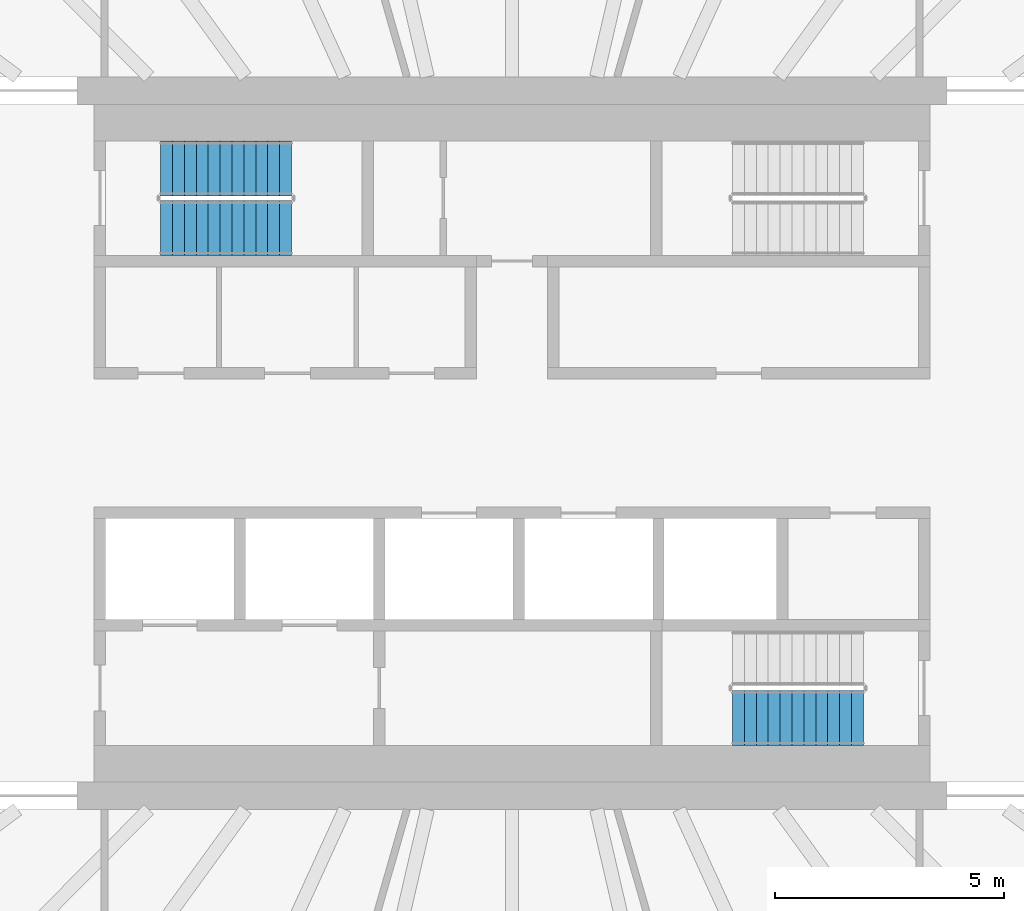
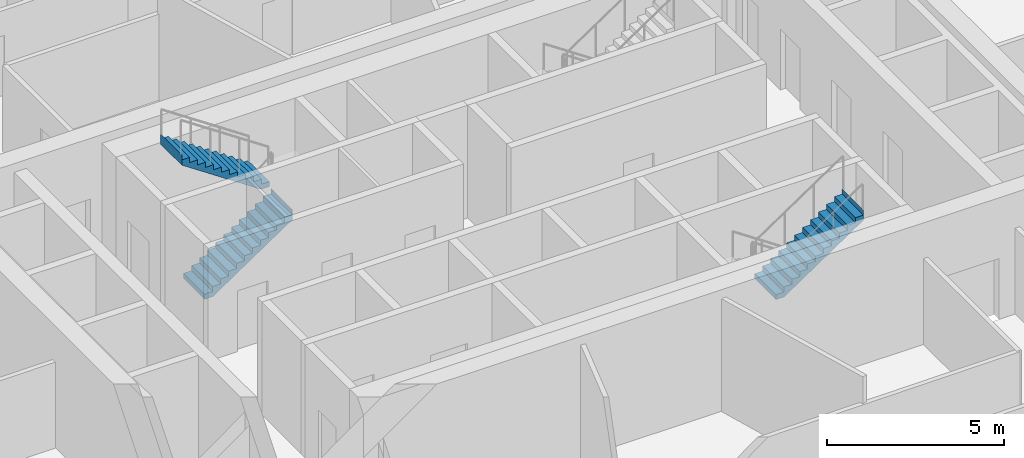
# One storey, part 19 of 26: 3 stair flights, 2 elements without a shape of their own.
"""IFC4 building model written with IfcOpenShell, lengths in metres."""

import ifcopenshell
import ifcopenshell.guid

model = None  # the IFC model being written
_history = None  # IfcOwnerHistory: only IFC2X3 demands one
_inside = {}  # id of a spatial element -> (the spatial element, [elements in it])
_under = {}  # id of a project, library or spatial element -> (it, [spatial elements below it])
_declared = {}  # id of a project -> (the project, [libraries it declares])
_typed = {}  # id of a type object -> (the type object, [elements of that type])
_made_of = {}  # id of a material, layer set ... -> (it, [elements and type objects made of it])


def new_model(schema):
    """Start an empty IFC model of exactly this schema.

    Asked for "IFC4X3", IfcOpenShell would pick the latest addendum, in which some entities
    have other attributes; the version numbers below select the first issue.
    IFC2X3 requires an IfcOwnerHistory on every rooted entity: one is made here for all.
    """
    global model, _history
    if schema == "IFC4X3":
        model = ifcopenshell.file(schema_version=(4, 3, 0, 0))
    else:
        model = ifcopenshell.file(schema=schema)
    _inside.clear()
    _under.clear()
    _declared.clear()
    _typed.clear()
    _made_of.clear()
    _history = None
    if model.schema == "IFC2X3":
        org = make("IfcOrganization", Name="unknown")
        user = make(
            "IfcPersonAndOrganization",
            ThePerson=make("IfcPerson", FamilyName="unknown"),
            TheOrganization=org,
        )
        app = make(
            "IfcApplication",
            ApplicationDeveloper=org,
            Version="unknown",
            ApplicationFullName="unknown",
            ApplicationIdentifier="unknown",
        )
        _history = make(
            "IfcOwnerHistory",
            OwningUser=user,
            OwningApplication=app,
            ChangeAction="ADDED",
            CreationDate=0,
        )
    return model


def make(cls, **values):
    """One entity of the class cls with the attributes given. An attribute that is None is left unset."""
    return model.create_entity(
        cls, **{name: value for name, value in values.items() if value is not None}
    )


def rooted(cls, **values):
    """An entity with a GlobalId (a new one), such as an element, a storey or a relation."""
    return make(cls, GlobalId=ifcopenshell.guid.new(), OwnerHistory=_history, **values)


def si_unit(unit_type, name, prefix=None):
    """IfcSIUnit, for example si_unit("LENGTHUNIT", "METRE", prefix="MILLI")."""
    return make("IfcSIUnit", UnitType=unit_type, Prefix=prefix, Name=name)


def assignment(units):
    """IfcUnitAssignment: the units of a project."""
    return None if units is None else make("IfcUnitAssignment", Units=units)


def point(xyz):
    """IfcCartesianPoint."""
    return None if xyz is None else make("IfcCartesianPoint", Coordinates=xyz)


def direction(xyz):
    """IfcDirection."""
    return None if xyz is None else make("IfcDirection", DirectionRatios=xyz)


def frame(location, z_axis=None, x_axis=None):
    """IfcAxis2Placement3D, a coordinate frame: its origin and axes. An axis left out is left unset."""
    return make(
        "IfcAxis2Placement3D",
        Location=point(location),
        Axis=direction(z_axis),
        RefDirection=direction(x_axis),
    )


def origin():
    """The frame at (0, 0, 0) with its axes left unset."""
    return frame((0.0, 0.0, 0.0))


def place(relative_to, where):
    """IfcLocalPlacement: puts the frame where relative to a parent placement (None: the world)."""
    return make(
        "IfcLocalPlacement", PlacementRelTo=relative_to, RelativePlacement=where
    )


def context(
    kind, dimensions, precision=None, world=None, true_north=None, identifier=None
):
    """IfcGeometricRepresentationContext, for example the 3D "Model" context."""
    return make(
        "IfcGeometricRepresentationContext",
        ContextIdentifier=identifier,
        ContextType=kind,
        CoordinateSpaceDimension=dimensions,
        Precision=precision,
        WorldCoordinateSystem=world,
        TrueNorth=true_north,
    )


def subcontext(parent, identifier, kind, view, scale=None):
    """IfcGeometricRepresentationSubContext, for example "Body" below "Model"."""
    return make(
        "IfcGeometricRepresentationSubContext",
        ContextIdentifier=identifier,
        ContextType=kind,
        ParentContext=parent,
        TargetScale=scale,
        TargetView=view,
    )


def project(units=None, contexts=None):
    """IfcProject with its units and contexts."""
    return rooted(
        "IfcProject",
        Name="project",
        RepresentationContexts=contexts,
        UnitsInContext=assignment(units),
    )


def spatial(cls, under=None, at=None, **own):
    """A site, building, storey or space (cls), placed at a placement, below another one or the project."""
    s = rooted(cls, ObjectPlacement=at, **own)
    if under is not None:
        _under.setdefault(under.id(), (under, []))[1].append(s)
    return s


def point_list(points):
    """IfcCartesianPointList2D or 3D."""
    cls = (
        "IfcCartesianPointList2D" if len(points[0]) == 2 else "IfcCartesianPointList3D"
    )
    return make(cls, CoordList=points)


def triangles(points, corners, closed=None, point_numbers=None):
    """IfcTriangulatedFaceSet: each triangle names its three corners, points numbered from 1."""
    return make(
        "IfcTriangulatedFaceSet",
        Coordinates=point_list(points),
        Closed=closed,
        CoordIndex=corners,
        PnIndex=point_numbers,
    )


def shape(context_of_items, identifier, shape_type, items):
    """IfcShapeRepresentation: the items that make up one representation, for example the "Body"."""
    return make(
        "IfcShapeRepresentation",
        ContextOfItems=context_of_items,
        RepresentationIdentifier=identifier,
        RepresentationType=shape_type,
        Items=items,
    )


def material(Name=None, Category=None):
    """IfcMaterial."""
    return make("IfcMaterial", Name=Name, Category=Category)


def made_of(thing, what):
    """Note that an element or type object is made of a material, layer set ...; save() writes the relation."""
    if what is not None:
        _made_of.setdefault(what.id(), (what, []))[1].append(thing)
    return thing


def type_object(cls, material=None, **own):
    """A type object (cls), such as IfcWallType, which elements share."""
    return made_of(rooted(cls, **own), material)


def element(
    cls,
    number,
    at=None,
    inside=None,
    cuts=None,
    type_object=None,
    material=None,
    context=None,
    identifier="Body",
    shape_type=None,
    held_by="IfcProductDefinitionShape",
    body=None,
    shapes=None,
    **own,
):
    """One element of the class cls, such as IfcWall. Its Tag is "e" and its number.

    at: its placement. inside: the storey or other place that contains it. cuts: it is an
    opening in that element (IfcRelVoidsElement). A single representation is given by context,
    identifier, shape_type and body (its items); several are given by shapes. held_by: the class
    of the entity that holds the representations. save() writes the other relations.
    """
    e = rooted(cls, Tag="e%d" % number, ObjectPlacement=at, **own)
    if body is not None:
        shapes = [shape(context, identifier, shape_type, body)]
    if shapes is not None:
        e.Representation = make(held_by, Representations=shapes)
    if inside is not None:
        _inside.setdefault(inside.id(), (inside, []))[1].append(e)
    if cuts is not None:
        rooted(
            "IfcRelVoidsElement", RelatingBuildingElement=cuts, RelatedOpeningElement=e
        )
    if type_object is not None:
        _typed.setdefault(type_object.id(), (type_object, []))[1].append(e)
    return made_of(e, material)


def aggregate(whole, parts):
    """IfcRelAggregates: a whole, such as a stair, and the parts it consists of."""
    return rooted("IfcRelAggregates", RelatingObject=whole, RelatedObjects=parts)


def save(model, path):
    """Write the relations noted so far, then the file.

    IfcRelAggregates (storeys below a building ...), IfcRelContainedInSpatialStructure (elements
    in a storey), IfcRelDefinesByType, IfcRelAssociatesMaterial and IfcRelDeclares: one each for
    every whole, place, type object, material and project.
    """
    for whole, parts in _under.values():
        aggregate(whole, parts)
    for where, things in _inside.values():
        rooted(
            "IfcRelContainedInSpatialStructure",
            RelatedElements=things,
            RelatingStructure=where,
        )
    for kind, things in _typed.values():
        rooted("IfcRelDefinesByType", RelatedObjects=things, RelatingType=kind)
    for what, things in _made_of.values():
        rooted("IfcRelAssociatesMaterial", RelatedObjects=things, RelatingMaterial=what)
    for by, libraries in _declared.values():
        rooted("IfcRelDeclares", RelatingContext=by, RelatedDefinitions=libraries)
    model.write(path)


model = new_model("IFC4")

# Units and contexts
model_context = context("Model", 3, precision=1e-05, world=origin(), true_north=direction((0.0, 1.0)))
body_context = subcontext(model_context, "Body", "Model", "MODEL_VIEW")
ifc_project = project(units=[si_unit("LENGTHUNIT", "METRE"), si_unit("AREAUNIT", "SQUARE_METRE"), si_unit("VOLUMEUNIT", "CUBIC_METRE"), si_unit("PLANEANGLEUNIT", "RADIAN"), si_unit("MASSUNIT", "GRAM", prefix="KILO")], contexts=[model_context])

# Site, building, storey
site_placement = place(None, origin())
site = spatial("IfcSite", under=ifc_project, at=site_placement, CompositionType="ELEMENT")
building_placement = place(site_placement, origin())
building = spatial("IfcBuilding", under=site, at=building_placement, Name="Sahrelin Media Tower", CompositionType="ELEMENT")
storey_placement = place(building_placement, frame((0.0, 0.0, 92.39990234375)))
storey = spatial("IfcBuildingStorey", under=building, at=storey_placement, Name="L17", CompositionType="ELEMENT", Elevation=92.39990234375)

# Stair, stair flights
ifc_material = material(Name="Concrete C40/50", Category="concrete")
stair_type = type_object("IfcStairType", Name="Exit stair 1200", PredefinedType="HALF_TURN_STAIR", material=ifc_material)
placement = place(storey_placement, origin())
stair_1 = element("IfcStair", 1, at=placement, inside=storey, type_object=stair_type, Name="L17 Exit stair ST1", PredefinedType="HALF_TURN_STAIR")
stair_flight_type = type_object("IfcStairFlightType", Name="Stair flight 1200", PredefinedType="STRAIGHT", material=ifc_material)
stair_flight_1_placement = place(storey_placement, frame((-7.675048828125, 4.699951171875, 0.0), z_axis=(0.0, 0.0, 1.0), x_axis=(1.0, 0.0, 0.0)))
stair_flight_1 = element("IfcStairFlight", 2, at=stair_flight_1_placement, type_object=stair_flight_type, Name="ST1 flight 1", NumberOfRisers=12, NumberOfTreads=11, PredefinedType="STRAIGHT", RiserHeight=0.175, TreadLength=0.26, context=body_context, shape_type="Tessellation", body=[
    triangles([(0.2685546875, 0.60009765625, 0.0), (0.2685546875, 0.300048828125, 0.0), (0.2685546875, 0.0, 0.0), (0.2685546875, -0.300048828125, 0.0), (0.2685546875, -0.60009765625, 0.0), (2.860107421875, 0.60009765625, 1.744384765625), (2.860107421875, 0.300048828125, 1.744384765625), (2.860107421875, 0.0, 1.744384765625), (2.860107421875, -0.300048828125, 1.744384765625), (2.860107421875, -0.60009765625, 1.744384765625), (2.860107421875, 0.60009765625, 2.10009765625), (2.860107421875, 0.300048828125, 2.10009765625), (2.860107421875, 0.0, 2.10009765625), (2.860107421875, -0.300048828125, 2.10009765625), (2.860107421875, -0.60009765625, 2.10009765625), (2.85791015625, 0.60009765625, 2.10009765625), (2.85791015625, 0.300048828125, 2.10009765625), (2.85791015625, 0.0, 2.10009765625), (2.85791015625, -0.300048828125, 2.10009765625), (2.85791015625, -0.60009765625, 2.10009765625), (2.85791015625, 0.60009765625, 1.925048828125), (2.85791015625, 0.300048828125, 1.925048828125), (2.85791015625, 0.0, 1.925048828125), (2.85791015625, -0.300048828125, 1.925048828125), (2.85791015625, -0.60009765625, 1.925048828125), (2.60009765625, 0.60009765625, 1.925048828125), (2.60009765625, 0.300048828125, 1.925048828125), (2.60009765625, 0.0, 1.925048828125), (2.60009765625, -0.300048828125, 1.925048828125), (2.60009765625, -0.60009765625, 1.925048828125), (2.60009765625, 0.60009765625, 1.75), (2.60009765625, 0.300048828125, 1.75), (2.60009765625, 0.0, 1.75), (2.60009765625, -0.300048828125, 1.75), (2.60009765625, -0.60009765625, 1.75), (2.340087890625, 0.60009765625, 1.75), (2.340087890625, 0.300048828125, 1.75), (2.340087890625, 0.0, 1.75), (2.340087890625, -0.300048828125, 1.75), (2.340087890625, -0.60009765625, 1.75), (2.340087890625, 0.60009765625, 1.574951171875), (2.340087890625, 0.300048828125, 1.574951171875), (2.340087890625, 0.0, 1.574951171875), (2.340087890625, -0.300048828125, 1.574951171875), (2.340087890625, -0.60009765625, 1.574951171875), (2.080078125, 0.60009765625, 1.574951171875), (2.080078125, 0.300048828125, 1.574951171875), (2.080078125, 0.0, 1.574951171875), (2.080078125, -0.300048828125, 1.574951171875), (2.080078125, -0.60009765625, 1.574951171875), (2.080078125, 0.60009765625, 1.39990234375), (2.080078125, 0.300048828125, 1.39990234375), (2.080078125, 0.0, 1.39990234375), (2.080078125, -0.300048828125, 1.39990234375), (2.080078125, -0.60009765625, 1.39990234375), (1.820068359375, 0.60009765625, 1.39990234375), (1.820068359375, 0.300048828125, 1.39990234375), (1.820068359375, 0.0, 1.39990234375), (1.820068359375, -0.300048828125, 1.39990234375), (1.820068359375, -0.60009765625, 1.39990234375), (1.820068359375, 0.60009765625, 1.22509765625), (1.820068359375, 0.300048828125, 1.22509765625), (1.820068359375, 0.0, 1.22509765625), (1.820068359375, -0.300048828125, 1.22509765625), (1.820068359375, -0.60009765625, 1.22509765625), (1.56005859375, 0.60009765625, 1.22509765625), (1.56005859375, 0.300048828125, 1.22509765625), (1.56005859375, 0.0, 1.22509765625), (1.56005859375, -0.300048828125, 1.22509765625), (1.56005859375, -0.60009765625, 1.22509765625), (1.56005859375, 0.60009765625, 1.050048828125), (1.56005859375, 0.300048828125, 1.050048828125), (1.56005859375, 0.0, 1.050048828125), (1.56005859375, -0.300048828125, 1.050048828125), (1.56005859375, -0.60009765625, 1.050048828125), (1.300048828125, 0.60009765625, 1.050048828125), (1.300048828125, 0.300048828125, 1.050048828125), (1.300048828125, 0.0, 1.050048828125), (1.300048828125, -0.300048828125, 1.050048828125), (1.300048828125, -0.60009765625, 1.050048828125), (1.300048828125, 0.60009765625, 0.875), (1.300048828125, 0.300048828125, 0.875), (1.300048828125, 0.0, 0.875), (1.300048828125, -0.300048828125, 0.875), (1.300048828125, -0.60009765625, 0.875), (1.0400390625, 0.60009765625, 0.875), (1.0400390625, 0.300048828125, 0.875), (1.0400390625, 0.0, 0.875), (1.0400390625, -0.300048828125, 0.875), (1.0400390625, -0.60009765625, 0.875), (1.0400390625, 0.60009765625, 0.699951171875), (1.0400390625, 0.300048828125, 0.699951171875), (1.0400390625, 0.0, 0.699951171875), (1.0400390625, -0.300048828125, 0.699951171875), (1.0400390625, -0.60009765625, 0.699951171875), (0.780029296875, 0.60009765625, 0.699951171875), (0.780029296875, 0.300048828125, 0.699951171875), (0.780029296875, 0.0, 0.699951171875), (0.780029296875, -0.300048828125, 0.699951171875), (0.780029296875, -0.60009765625, 0.699951171875), (0.780029296875, 0.60009765625, 0.52490234375), (0.780029296875, 0.300048828125, 0.52490234375), (0.780029296875, 0.0, 0.52490234375), (0.780029296875, -0.300048828125, 0.52490234375), (0.780029296875, -0.60009765625, 0.52490234375), (0.52001953125, 0.60009765625, 0.52490234375), (0.52001953125, 0.300048828125, 0.52490234375), (0.52001953125, 0.0, 0.52490234375), (0.52001953125, -0.300048828125, 0.52490234375), (0.52001953125, -0.60009765625, 0.52490234375), (0.52001953125, 0.60009765625, 0.35009765625), (0.52001953125, 0.300048828125, 0.35009765625), (0.52001953125, 0.0, 0.35009765625), (0.52001953125, -0.300048828125, 0.35009765625), (0.52001953125, -0.60009765625, 0.35009765625), (0.260009765625, 0.60009765625, 0.35009765625), (0.260009765625, 0.300048828125, 0.35009765625), (0.260009765625, 0.0, 0.35009765625), (0.260009765625, -0.300048828125, 0.35009765625), (0.260009765625, -0.60009765625, 0.35009765625), (0.260009765625, 0.60009765625, 0.175048828125), (0.260009765625, 0.300048828125, 0.175048828125), (0.260009765625, 0.0, 0.175048828125), (0.260009765625, -0.300048828125, 0.175048828125), (0.260009765625, -0.60009765625, 0.175048828125), (0.0, 0.60009765625, 0.175048828125), (0.0, 0.300048828125, 0.175048828125), (0.0, 0.0, 0.175048828125), (0.0, -0.300048828125, 0.175048828125), (0.0, -0.60009765625, 0.175048828125), (0.0, 0.60009765625, 0.0), (0.0, 0.300048828125, 0.0), (0.0, 0.0, 0.0), (0.0, -0.300048828125, 0.0), (0.0, -0.60009765625, 0.0)], [[1, 6, 7], [1, 7, 2], [2, 7, 8], [2, 8, 3], [3, 8, 9], [3, 9, 4], [4, 9, 10], [4, 10, 5], [6, 11, 12], [6, 12, 7], [7, 12, 13], [7, 13, 8], [8, 13, 14], [8, 14, 9], [9, 14, 15], [9, 15, 10], [11, 16, 17], [11, 17, 12], [12, 17, 18], [12, 18, 13], [13, 18, 19], [13, 19, 14], [14, 19, 20], [14, 20, 15], [16, 21, 22], [16, 22, 17], [17, 22, 23], [17, 23, 18], [18, 23, 24], [18, 24, 19], [19, 24, 25], [19, 25, 20], [21, 26, 27], [21, 27, 22], [22, 27, 28], [22, 28, 23], [23, 28, 29], [23, 29, 24], [24, 29, 30], [24, 30, 25], [26, 31, 32], [26, 32, 27], [27, 32, 33], [27, 33, 28], [28, 33, 34], [28, 34, 29], [29, 34, 35], [29, 35, 30], [31, 36, 37], [31, 37, 32], [32, 37, 38], [32, 38, 33], [33, 38, 39], [33, 39, 34], [34, 39, 40], [34, 40, 35], [36, 41, 42], [36, 42, 37], [37, 42, 43], [37, 43, 38], [38, 43, 44], [38, 44, 39], [39, 44, 45], [39, 45, 40], [41, 46, 47], [41, 47, 42], [42, 47, 48], [42, 48, 43], [43, 48, 49], [43, 49, 44], [44, 49, 50], [44, 50, 45], [46, 51, 52], [46, 52, 47], [47, 52, 53], [47, 53, 48], [48, 53, 54], [48, 54, 49], [49, 54, 55], [49, 55, 50], [51, 56, 57], [51, 57, 52], [52, 57, 58], [52, 58, 53], [53, 58, 59], [53, 59, 54], [54, 59, 60], [54, 60, 55], [56, 61, 62], [56, 62, 57], [57, 62, 63], [57, 63, 58], [58, 63, 64], [58, 64, 59], [59, 64, 65], [59, 65, 60], [61, 66, 67], [61, 67, 62], [62, 67, 68], [62, 68, 63], [63, 68, 69], [63, 69, 64], [64, 69, 70], [64, 70, 65], [66, 71, 72], [66, 72, 67], [67, 72, 73], [67, 73, 68], [68, 73, 74], [68, 74, 69], [69, 74, 75], [69, 75, 70], [71, 76, 77], [71, 77, 72], [72, 77, 78], [72, 78, 73], [73, 78, 79], [73, 79, 74], [74, 79, 80], [74, 80, 75], [76, 81, 82], [76, 82, 77], [77, 82, 83], [77, 83, 78], [78, 83, 84], [78, 84, 79], [79, 84, 85], [79, 85, 80], [81, 86, 87], [81, 87, 82], [82, 87, 88], [82, 88, 83], [83, 88, 89], [83, 89, 84], [84, 89, 90], [84, 90, 85], [86, 91, 92], [86, 92, 87], [87, 92, 93], [87, 93, 88], [88, 93, 94], [88, 94, 89], [89, 94, 95], [89, 95, 90], [91, 96, 97], [91, 97, 92], [92, 97, 98], [92, 98, 93], [93, 98, 99], [93, 99, 94], [94, 99, 100], [94, 100, 95], [96, 101, 102], [96, 102, 97], [97, 102, 103], [97, 103, 98], [98, 103, 104], [98, 104, 99], [99, 104, 105], [99, 105, 100], [101, 106, 107], [101, 107, 102], [102, 107, 108], [102, 108, 103], [103, 108, 109], [103, 109, 104], [104, 109, 110], [104, 110, 105], [106, 111, 112], [106, 112, 107], [107, 112, 113], [107, 113, 108], [108, 113, 114], [108, 114, 109], [109, 114, 115], [109, 115, 110], [111, 116, 117], [111, 117, 112], [112, 117, 118], [112, 118, 113], [113, 118, 119], [113, 119, 114], [114, 119, 120], [114, 120, 115], [116, 121, 122], [116, 122, 117], [117, 122, 123], [117, 123, 118], [118, 123, 124], [118, 124, 119], [119, 124, 125], [119, 125, 120], [121, 126, 127], [121, 127, 122], [122, 127, 128], [122, 128, 123], [123, 128, 129], [123, 129, 124], [124, 129, 130], [124, 130, 125], [126, 131, 132], [126, 132, 127], [127, 132, 133], [127, 133, 128], [128, 133, 134], [128, 134, 129], [129, 134, 135], [129, 135, 130], [131, 1, 2], [131, 2, 132], [132, 2, 3], [132, 3, 133], [133, 3, 4], [133, 4, 134], [134, 4, 5], [134, 5, 135], [125, 130, 135], [121, 131, 126], [125, 115, 120], [121, 116, 111], [115, 105, 110], [111, 106, 101], [105, 95, 100], [101, 96, 91], [95, 85, 90], [91, 86, 81], [85, 75, 80], [81, 76, 71], [75, 65, 70], [71, 66, 61], [65, 55, 60], [61, 56, 51], [55, 45, 50], [51, 46, 41], [45, 35, 40], [41, 36, 31], [35, 25, 30], [31, 26, 21], [25, 15, 20], [21, 16, 11], [135, 5, 125], [131, 121, 1], [95, 105, 5], [91, 1, 101], [5, 10, 75], [1, 71, 6], [10, 35, 45], [6, 41, 31], [25, 10, 15], [21, 11, 6], [115, 125, 5], [111, 1, 121], [75, 85, 5], [71, 1, 81], [35, 10, 25], [31, 21, 6], [105, 115, 5], [101, 1, 111], [45, 55, 10], [41, 6, 51], [85, 95, 5], [81, 1, 91], [65, 10, 55], [61, 51, 6], [10, 65, 75], [6, 71, 61]], closed=True),
])
stair_flight_2_placement = place(storey_placement, frame((-4.81494140625, 6.0, 2.10009765625), z_axis=(0.0, 0.0, 1.0), x_axis=(-1.0, 0.0, 0.0)))
stair_flight_2 = element("IfcStairFlight", 3, at=stair_flight_2_placement, type_object=stair_flight_type, Name="ST1 flight 2", NumberOfRisers=12, NumberOfTreads=11, PredefinedType="STRAIGHT", RiserHeight=0.175, TreadLength=0.26, context=body_context, shape_type="Tessellation", body=[
    triangles([(0.2685546875, 0.60009765625, 0.0), (0.2685546875, 0.300048828125, 0.0), (0.2685546875, 0.0, 0.0), (0.2685546875, -0.300048828125, 0.0), (0.2685546875, -0.60009765625, 0.0), (2.860107421875, 0.60009765625, 1.744384765625), (2.860107421875, 0.300048828125, 1.744384765625), (2.860107421875, 0.0, 1.744384765625), (2.860107421875, -0.300048828125, 1.744384765625), (2.860107421875, -0.60009765625, 1.744384765625), (2.860107421875, 0.60009765625, 2.10009765625), (2.860107421875, 0.300048828125, 2.10009765625), (2.860107421875, 0.0, 2.10009765625), (2.860107421875, -0.300048828125, 2.10009765625), (2.860107421875, -0.60009765625, 2.10009765625), (2.85791015625, 0.60009765625, 2.10009765625), (2.85791015625, 0.300048828125, 2.10009765625), (2.85791015625, 0.0, 2.10009765625), (2.85791015625, -0.300048828125, 2.10009765625), (2.85791015625, -0.60009765625, 2.10009765625), (2.85791015625, 0.60009765625, 1.925048828125), (2.85791015625, 0.300048828125, 1.925048828125), (2.85791015625, 0.0, 1.925048828125), (2.85791015625, -0.300048828125, 1.925048828125), (2.85791015625, -0.60009765625, 1.925048828125), (2.60009765625, 0.60009765625, 1.925048828125), (2.60009765625, 0.300048828125, 1.925048828125), (2.60009765625, 0.0, 1.925048828125), (2.60009765625, -0.300048828125, 1.925048828125), (2.60009765625, -0.60009765625, 1.925048828125), (2.60009765625, 0.60009765625, 1.75), (2.60009765625, 0.300048828125, 1.75), (2.60009765625, 0.0, 1.75), (2.60009765625, -0.300048828125, 1.75), (2.60009765625, -0.60009765625, 1.75), (2.340087890625, 0.60009765625, 1.75), (2.340087890625, 0.300048828125, 1.75), (2.340087890625, 0.0, 1.75), (2.340087890625, -0.300048828125, 1.75), (2.340087890625, -0.60009765625, 1.75), (2.340087890625, 0.60009765625, 1.574951171875), (2.340087890625, 0.300048828125, 1.574951171875), (2.340087890625, 0.0, 1.574951171875), (2.340087890625, -0.300048828125, 1.574951171875), (2.340087890625, -0.60009765625, 1.574951171875), (2.080078125, 0.60009765625, 1.574951171875), (2.080078125, 0.300048828125, 1.574951171875), (2.080078125, 0.0, 1.574951171875), (2.080078125, -0.300048828125, 1.574951171875), (2.080078125, -0.60009765625, 1.574951171875), (2.080078125, 0.60009765625, 1.39990234375), (2.080078125, 0.300048828125, 1.39990234375), (2.080078125, 0.0, 1.39990234375), (2.080078125, -0.300048828125, 1.39990234375), (2.080078125, -0.60009765625, 1.39990234375), (1.820068359375, 0.60009765625, 1.39990234375), (1.820068359375, 0.300048828125, 1.39990234375), (1.820068359375, 0.0, 1.39990234375), (1.820068359375, -0.300048828125, 1.39990234375), (1.820068359375, -0.60009765625, 1.39990234375), (1.820068359375, 0.60009765625, 1.22509765625), (1.820068359375, 0.300048828125, 1.22509765625), (1.820068359375, 0.0, 1.22509765625), (1.820068359375, -0.300048828125, 1.22509765625), (1.820068359375, -0.60009765625, 1.22509765625), (1.56005859375, 0.60009765625, 1.22509765625), (1.56005859375, 0.300048828125, 1.22509765625), (1.56005859375, 0.0, 1.22509765625), (1.56005859375, -0.300048828125, 1.22509765625), (1.56005859375, -0.60009765625, 1.22509765625), (1.56005859375, 0.60009765625, 1.050048828125), (1.56005859375, 0.300048828125, 1.050048828125), (1.56005859375, 0.0, 1.050048828125), (1.56005859375, -0.300048828125, 1.050048828125), (1.56005859375, -0.60009765625, 1.050048828125), (1.300048828125, 0.60009765625, 1.050048828125), (1.300048828125, 0.300048828125, 1.050048828125), (1.300048828125, 0.0, 1.050048828125), (1.300048828125, -0.300048828125, 1.050048828125), (1.300048828125, -0.60009765625, 1.050048828125), (1.300048828125, 0.60009765625, 0.875), (1.300048828125, 0.300048828125, 0.875), (1.300048828125, 0.0, 0.875), (1.300048828125, -0.300048828125, 0.875), (1.300048828125, -0.60009765625, 0.875), (1.0400390625, 0.60009765625, 0.875), (1.0400390625, 0.300048828125, 0.875), (1.0400390625, 0.0, 0.875), (1.0400390625, -0.300048828125, 0.875), (1.0400390625, -0.60009765625, 0.875), (1.0400390625, 0.60009765625, 0.699951171875), (1.0400390625, 0.300048828125, 0.699951171875), (1.0400390625, 0.0, 0.699951171875), (1.0400390625, -0.300048828125, 0.699951171875), (1.0400390625, -0.60009765625, 0.699951171875), (0.780029296875, 0.60009765625, 0.699951171875), (0.780029296875, 0.300048828125, 0.699951171875), (0.780029296875, 0.0, 0.699951171875), (0.780029296875, -0.300048828125, 0.699951171875), (0.780029296875, -0.60009765625, 0.699951171875), (0.780029296875, 0.60009765625, 0.52490234375), (0.780029296875, 0.300048828125, 0.52490234375), (0.780029296875, 0.0, 0.52490234375), (0.780029296875, -0.300048828125, 0.52490234375), (0.780029296875, -0.60009765625, 0.52490234375), (0.52001953125, 0.60009765625, 0.52490234375), (0.52001953125, 0.300048828125, 0.52490234375), (0.52001953125, 0.0, 0.52490234375), (0.52001953125, -0.300048828125, 0.52490234375), (0.52001953125, -0.60009765625, 0.52490234375), (0.52001953125, 0.60009765625, 0.35009765625), (0.52001953125, 0.300048828125, 0.35009765625), (0.52001953125, 0.0, 0.35009765625), (0.52001953125, -0.300048828125, 0.35009765625), (0.52001953125, -0.60009765625, 0.35009765625), (0.260009765625, 0.60009765625, 0.35009765625), (0.260009765625, 0.300048828125, 0.35009765625), (0.260009765625, 0.0, 0.35009765625), (0.260009765625, -0.300048828125, 0.35009765625), (0.260009765625, -0.60009765625, 0.35009765625), (0.260009765625, 0.60009765625, 0.175048828125), (0.260009765625, 0.300048828125, 0.175048828125), (0.260009765625, 0.0, 0.175048828125), (0.260009765625, -0.300048828125, 0.175048828125), (0.260009765625, -0.60009765625, 0.175048828125), (0.0, 0.60009765625, 0.175048828125), (0.0, 0.300048828125, 0.175048828125), (0.0, 0.0, 0.175048828125), (0.0, -0.300048828125, 0.175048828125), (0.0, -0.60009765625, 0.175048828125), (0.0, 0.60009765625, 0.0), (0.0, 0.300048828125, 0.0), (0.0, 0.0, 0.0), (0.0, -0.300048828125, 0.0), (0.0, -0.60009765625, 0.0)], [[1, 6, 7], [1, 7, 2], [2, 7, 8], [2, 8, 3], [3, 8, 9], [3, 9, 4], [4, 9, 10], [4, 10, 5], [6, 11, 12], [6, 12, 7], [7, 12, 13], [7, 13, 8], [8, 13, 14], [8, 14, 9], [9, 14, 15], [9, 15, 10], [11, 16, 17], [11, 17, 12], [12, 17, 18], [12, 18, 13], [13, 18, 19], [13, 19, 14], [14, 19, 20], [14, 20, 15], [16, 21, 22], [16, 22, 17], [17, 22, 23], [17, 23, 18], [18, 23, 24], [18, 24, 19], [19, 24, 25], [19, 25, 20], [21, 26, 27], [21, 27, 22], [22, 27, 28], [22, 28, 23], [23, 28, 29], [23, 29, 24], [24, 29, 30], [24, 30, 25], [26, 31, 32], [26, 32, 27], [27, 32, 33], [27, 33, 28], [28, 33, 34], [28, 34, 29], [29, 34, 35], [29, 35, 30], [31, 36, 37], [31, 37, 32], [32, 37, 38], [32, 38, 33], [33, 38, 39], [33, 39, 34], [34, 39, 40], [34, 40, 35], [36, 41, 42], [36, 42, 37], [37, 42, 43], [37, 43, 38], [38, 43, 44], [38, 44, 39], [39, 44, 45], [39, 45, 40], [41, 46, 47], [41, 47, 42], [42, 47, 48], [42, 48, 43], [43, 48, 49], [43, 49, 44], [44, 49, 50], [44, 50, 45], [46, 51, 52], [46, 52, 47], [47, 52, 53], [47, 53, 48], [48, 53, 54], [48, 54, 49], [49, 54, 55], [49, 55, 50], [51, 56, 57], [51, 57, 52], [52, 57, 58], [52, 58, 53], [53, 58, 59], [53, 59, 54], [54, 59, 60], [54, 60, 55], [56, 61, 62], [56, 62, 57], [57, 62, 63], [57, 63, 58], [58, 63, 64], [58, 64, 59], [59, 64, 65], [59, 65, 60], [61, 66, 67], [61, 67, 62], [62, 67, 68], [62, 68, 63], [63, 68, 69], [63, 69, 64], [64, 69, 70], [64, 70, 65], [66, 71, 72], [66, 72, 67], [67, 72, 73], [67, 73, 68], [68, 73, 74], [68, 74, 69], [69, 74, 75], [69, 75, 70], [71, 76, 77], [71, 77, 72], [72, 77, 78], [72, 78, 73], [73, 78, 79], [73, 79, 74], [74, 79, 80], [74, 80, 75], [76, 81, 82], [76, 82, 77], [77, 82, 83], [77, 83, 78], [78, 83, 84], [78, 84, 79], [79, 84, 85], [79, 85, 80], [81, 86, 87], [81, 87, 82], [82, 87, 88], [82, 88, 83], [83, 88, 89], [83, 89, 84], [84, 89, 90], [84, 90, 85], [86, 91, 92], [86, 92, 87], [87, 92, 93], [87, 93, 88], [88, 93, 94], [88, 94, 89], [89, 94, 95], [89, 95, 90], [91, 96, 97], [91, 97, 92], [92, 97, 98], [92, 98, 93], [93, 98, 99], [93, 99, 94], [94, 99, 100], [94, 100, 95], [96, 101, 102], [96, 102, 97], [97, 102, 103], [97, 103, 98], [98, 103, 104], [98, 104, 99], [99, 104, 105], [99, 105, 100], [101, 106, 107], [101, 107, 102], [102, 107, 108], [102, 108, 103], [103, 108, 109], [103, 109, 104], [104, 109, 110], [104, 110, 105], [106, 111, 112], [106, 112, 107], [107, 112, 113], [107, 113, 108], [108, 113, 114], [108, 114, 109], [109, 114, 115], [109, 115, 110], [111, 116, 117], [111, 117, 112], [112, 117, 118], [112, 118, 113], [113, 118, 119], [113, 119, 114], [114, 119, 120], [114, 120, 115], [116, 121, 122], [116, 122, 117], [117, 122, 123], [117, 123, 118], [118, 123, 124], [118, 124, 119], [119, 124, 125], [119, 125, 120], [121, 126, 127], [121, 127, 122], [122, 127, 128], [122, 128, 123], [123, 128, 129], [123, 129, 124], [124, 129, 130], [124, 130, 125], [126, 131, 132], [126, 132, 127], [127, 132, 133], [127, 133, 128], [128, 133, 134], [128, 134, 129], [129, 134, 135], [129, 135, 130], [131, 1, 2], [131, 2, 132], [132, 2, 3], [132, 3, 133], [133, 3, 4], [133, 4, 134], [134, 4, 5], [134, 5, 135], [125, 130, 135], [121, 131, 126], [125, 115, 120], [121, 116, 111], [115, 105, 110], [111, 106, 101], [105, 95, 100], [101, 96, 91], [95, 85, 90], [91, 86, 81], [85, 75, 80], [81, 76, 71], [75, 65, 70], [71, 66, 61], [65, 55, 60], [61, 56, 51], [55, 45, 50], [51, 46, 41], [45, 35, 40], [41, 36, 31], [35, 25, 30], [31, 26, 21], [25, 15, 20], [21, 16, 11], [135, 5, 125], [131, 121, 1], [95, 105, 5], [91, 1, 101], [5, 10, 75], [1, 71, 6], [10, 35, 45], [6, 41, 31], [25, 10, 15], [21, 11, 6], [115, 125, 5], [111, 1, 121], [75, 85, 5], [71, 1, 81], [35, 10, 25], [31, 21, 6], [105, 115, 5], [101, 1, 111], [45, 55, 10], [41, 6, 51], [85, 95, 5], [81, 1, 91], [65, 10, 55], [61, 51, 6], [10, 65, 75], [6, 71, 61]], closed=True),
])
aggregate(stair_1, [stair_flight_1, stair_flight_2])

# Stair, stair flight
stair_2 = element("IfcStair", 4, at=placement, inside=storey, type_object=stair_type, Name="L17 Exit stair ST2", PredefinedType="HALF_TURN_STAIR")
stair_flight_3_placement = place(storey_placement, frame((4.81494140625, -6.0, 2.10009765625), z_axis=(0.0, 0.0, 1.0), x_axis=(1.0, 0.0, 0.0)))
stair_flight_3 = element("IfcStairFlight", 5, at=stair_flight_3_placement, type_object=stair_flight_type, Name="ST2 flight 2", NumberOfRisers=12, NumberOfTreads=11, PredefinedType="STRAIGHT", RiserHeight=0.175, TreadLength=0.26, context=body_context, shape_type="Tessellation", body=[
    triangles([(0.2685546875, 0.60009765625, 0.0), (0.2685546875, 0.300048828125, 0.0), (0.2685546875, 0.0, 0.0), (0.2685546875, -0.300048828125, 0.0), (0.2685546875, -0.60009765625, 0.0), (2.860107421875, 0.60009765625, 1.744384765625), (2.860107421875, 0.300048828125, 1.744384765625), (2.860107421875, 0.0, 1.744384765625), (2.860107421875, -0.300048828125, 1.744384765625), (2.860107421875, -0.60009765625, 1.744384765625), (2.860107421875, 0.60009765625, 2.10009765625), (2.860107421875, 0.300048828125, 2.10009765625), (2.860107421875, 0.0, 2.10009765625), (2.860107421875, -0.300048828125, 2.10009765625), (2.860107421875, -0.60009765625, 2.10009765625), (2.85791015625, 0.60009765625, 2.10009765625), (2.85791015625, 0.300048828125, 2.10009765625), (2.85791015625, 0.0, 2.10009765625), (2.85791015625, -0.300048828125, 2.10009765625), (2.85791015625, -0.60009765625, 2.10009765625), (2.85791015625, 0.60009765625, 1.925048828125), (2.85791015625, 0.300048828125, 1.925048828125), (2.85791015625, 0.0, 1.925048828125), (2.85791015625, -0.300048828125, 1.925048828125), (2.85791015625, -0.60009765625, 1.925048828125), (2.60009765625, 0.60009765625, 1.925048828125), (2.60009765625, 0.300048828125, 1.925048828125), (2.60009765625, 0.0, 1.925048828125), (2.60009765625, -0.300048828125, 1.925048828125), (2.60009765625, -0.60009765625, 1.925048828125), (2.60009765625, 0.60009765625, 1.75), (2.60009765625, 0.300048828125, 1.75), (2.60009765625, 0.0, 1.75), (2.60009765625, -0.300048828125, 1.75), (2.60009765625, -0.60009765625, 1.75), (2.340087890625, 0.60009765625, 1.75), (2.340087890625, 0.300048828125, 1.75), (2.340087890625, 0.0, 1.75), (2.340087890625, -0.300048828125, 1.75), (2.340087890625, -0.60009765625, 1.75), (2.340087890625, 0.60009765625, 1.574951171875), (2.340087890625, 0.300048828125, 1.574951171875), (2.340087890625, 0.0, 1.574951171875), (2.340087890625, -0.300048828125, 1.574951171875), (2.340087890625, -0.60009765625, 1.574951171875), (2.080078125, 0.60009765625, 1.574951171875), (2.080078125, 0.300048828125, 1.574951171875), (2.080078125, 0.0, 1.574951171875), (2.080078125, -0.300048828125, 1.574951171875), (2.080078125, -0.60009765625, 1.574951171875), (2.080078125, 0.60009765625, 1.39990234375), (2.080078125, 0.300048828125, 1.39990234375), (2.080078125, 0.0, 1.39990234375), (2.080078125, -0.300048828125, 1.39990234375), (2.080078125, -0.60009765625, 1.39990234375), (1.820068359375, 0.60009765625, 1.39990234375), (1.820068359375, 0.300048828125, 1.39990234375), (1.820068359375, 0.0, 1.39990234375), (1.820068359375, -0.300048828125, 1.39990234375), (1.820068359375, -0.60009765625, 1.39990234375), (1.820068359375, 0.60009765625, 1.22509765625), (1.820068359375, 0.300048828125, 1.22509765625), (1.820068359375, 0.0, 1.22509765625), (1.820068359375, -0.300048828125, 1.22509765625), (1.820068359375, -0.60009765625, 1.22509765625), (1.56005859375, 0.60009765625, 1.22509765625), (1.56005859375, 0.300048828125, 1.22509765625), (1.56005859375, 0.0, 1.22509765625), (1.56005859375, -0.300048828125, 1.22509765625), (1.56005859375, -0.60009765625, 1.22509765625), (1.56005859375, 0.60009765625, 1.050048828125), (1.56005859375, 0.300048828125, 1.050048828125), (1.56005859375, 0.0, 1.050048828125), (1.56005859375, -0.300048828125, 1.050048828125), (1.56005859375, -0.60009765625, 1.050048828125), (1.300048828125, 0.60009765625, 1.050048828125), (1.300048828125, 0.300048828125, 1.050048828125), (1.300048828125, 0.0, 1.050048828125), (1.300048828125, -0.300048828125, 1.050048828125), (1.300048828125, -0.60009765625, 1.050048828125), (1.300048828125, 0.60009765625, 0.875), (1.300048828125, 0.300048828125, 0.875), (1.300048828125, 0.0, 0.875), (1.300048828125, -0.300048828125, 0.875), (1.300048828125, -0.60009765625, 0.875), (1.0400390625, 0.60009765625, 0.875), (1.0400390625, 0.300048828125, 0.875), (1.0400390625, 0.0, 0.875), (1.0400390625, -0.300048828125, 0.875), (1.0400390625, -0.60009765625, 0.875), (1.0400390625, 0.60009765625, 0.699951171875), (1.0400390625, 0.300048828125, 0.699951171875), (1.0400390625, 0.0, 0.699951171875), (1.0400390625, -0.300048828125, 0.699951171875), (1.0400390625, -0.60009765625, 0.699951171875), (0.780029296875, 0.60009765625, 0.699951171875), (0.780029296875, 0.300048828125, 0.699951171875), (0.780029296875, 0.0, 0.699951171875), (0.780029296875, -0.300048828125, 0.699951171875), (0.780029296875, -0.60009765625, 0.699951171875), (0.780029296875, 0.60009765625, 0.52490234375), (0.780029296875, 0.300048828125, 0.52490234375), (0.780029296875, 0.0, 0.52490234375), (0.780029296875, -0.300048828125, 0.52490234375), (0.780029296875, -0.60009765625, 0.52490234375), (0.52001953125, 0.60009765625, 0.52490234375), (0.52001953125, 0.300048828125, 0.52490234375), (0.52001953125, 0.0, 0.52490234375), (0.52001953125, -0.300048828125, 0.52490234375), (0.52001953125, -0.60009765625, 0.52490234375), (0.52001953125, 0.60009765625, 0.35009765625), (0.52001953125, 0.300048828125, 0.35009765625), (0.52001953125, 0.0, 0.35009765625), (0.52001953125, -0.300048828125, 0.35009765625), (0.52001953125, -0.60009765625, 0.35009765625), (0.260009765625, 0.60009765625, 0.35009765625), (0.260009765625, 0.300048828125, 0.35009765625), (0.260009765625, 0.0, 0.35009765625), (0.260009765625, -0.300048828125, 0.35009765625), (0.260009765625, -0.60009765625, 0.35009765625), (0.260009765625, 0.60009765625, 0.175048828125), (0.260009765625, 0.300048828125, 0.175048828125), (0.260009765625, 0.0, 0.175048828125), (0.260009765625, -0.300048828125, 0.175048828125), (0.260009765625, -0.60009765625, 0.175048828125), (0.0, 0.60009765625, 0.175048828125), (0.0, 0.300048828125, 0.175048828125), (0.0, 0.0, 0.175048828125), (0.0, -0.300048828125, 0.175048828125), (0.0, -0.60009765625, 0.175048828125), (0.0, 0.60009765625, 0.0), (0.0, 0.300048828125, 0.0), (0.0, 0.0, 0.0), (0.0, -0.300048828125, 0.0), (0.0, -0.60009765625, 0.0)], [[1, 6, 7], [1, 7, 2], [2, 7, 8], [2, 8, 3], [3, 8, 9], [3, 9, 4], [4, 9, 10], [4, 10, 5], [6, 11, 12], [6, 12, 7], [7, 12, 13], [7, 13, 8], [8, 13, 14], [8, 14, 9], [9, 14, 15], [9, 15, 10], [11, 16, 17], [11, 17, 12], [12, 17, 18], [12, 18, 13], [13, 18, 19], [13, 19, 14], [14, 19, 20], [14, 20, 15], [16, 21, 22], [16, 22, 17], [17, 22, 23], [17, 23, 18], [18, 23, 24], [18, 24, 19], [19, 24, 25], [19, 25, 20], [21, 26, 27], [21, 27, 22], [22, 27, 28], [22, 28, 23], [23, 28, 29], [23, 29, 24], [24, 29, 30], [24, 30, 25], [26, 31, 32], [26, 32, 27], [27, 32, 33], [27, 33, 28], [28, 33, 34], [28, 34, 29], [29, 34, 35], [29, 35, 30], [31, 36, 37], [31, 37, 32], [32, 37, 38], [32, 38, 33], [33, 38, 39], [33, 39, 34], [34, 39, 40], [34, 40, 35], [36, 41, 42], [36, 42, 37], [37, 42, 43], [37, 43, 38], [38, 43, 44], [38, 44, 39], [39, 44, 45], [39, 45, 40], [41, 46, 47], [41, 47, 42], [42, 47, 48], [42, 48, 43], [43, 48, 49], [43, 49, 44], [44, 49, 50], [44, 50, 45], [46, 51, 52], [46, 52, 47], [47, 52, 53], [47, 53, 48], [48, 53, 54], [48, 54, 49], [49, 54, 55], [49, 55, 50], [51, 56, 57], [51, 57, 52], [52, 57, 58], [52, 58, 53], [53, 58, 59], [53, 59, 54], [54, 59, 60], [54, 60, 55], [56, 61, 62], [56, 62, 57], [57, 62, 63], [57, 63, 58], [58, 63, 64], [58, 64, 59], [59, 64, 65], [59, 65, 60], [61, 66, 67], [61, 67, 62], [62, 67, 68], [62, 68, 63], [63, 68, 69], [63, 69, 64], [64, 69, 70], [64, 70, 65], [66, 71, 72], [66, 72, 67], [67, 72, 73], [67, 73, 68], [68, 73, 74], [68, 74, 69], [69, 74, 75], [69, 75, 70], [71, 76, 77], [71, 77, 72], [72, 77, 78], [72, 78, 73], [73, 78, 79], [73, 79, 74], [74, 79, 80], [74, 80, 75], [76, 81, 82], [76, 82, 77], [77, 82, 83], [77, 83, 78], [78, 83, 84], [78, 84, 79], [79, 84, 85], [79, 85, 80], [81, 86, 87], [81, 87, 82], [82, 87, 88], [82, 88, 83], [83, 88, 89], [83, 89, 84], [84, 89, 90], [84, 90, 85], [86, 91, 92], [86, 92, 87], [87, 92, 93], [87, 93, 88], [88, 93, 94], [88, 94, 89], [89, 94, 95], [89, 95, 90], [91, 96, 97], [91, 97, 92], [92, 97, 98], [92, 98, 93], [93, 98, 99], [93, 99, 94], [94, 99, 100], [94, 100, 95], [96, 101, 102], [96, 102, 97], [97, 102, 103], [97, 103, 98], [98, 103, 104], [98, 104, 99], [99, 104, 105], [99, 105, 100], [101, 106, 107], [101, 107, 102], [102, 107, 108], [102, 108, 103], [103, 108, 109], [103, 109, 104], [104, 109, 110], [104, 110, 105], [106, 111, 112], [106, 112, 107], [107, 112, 113], [107, 113, 108], [108, 113, 114], [108, 114, 109], [109, 114, 115], [109, 115, 110], [111, 116, 117], [111, 117, 112], [112, 117, 118], [112, 118, 113], [113, 118, 119], [113, 119, 114], [114, 119, 120], [114, 120, 115], [116, 121, 122], [116, 122, 117], [117, 122, 123], [117, 123, 118], [118, 123, 124], [118, 124, 119], [119, 124, 125], [119, 125, 120], [121, 126, 127], [121, 127, 122], [122, 127, 128], [122, 128, 123], [123, 128, 129], [123, 129, 124], [124, 129, 130], [124, 130, 125], [126, 131, 132], [126, 132, 127], [127, 132, 133], [127, 133, 128], [128, 133, 134], [128, 134, 129], [129, 134, 135], [129, 135, 130], [131, 1, 2], [131, 2, 132], [132, 2, 3], [132, 3, 133], [133, 3, 4], [133, 4, 134], [134, 4, 5], [134, 5, 135], [125, 130, 135], [121, 131, 126], [125, 115, 120], [121, 116, 111], [115, 105, 110], [111, 106, 101], [105, 95, 100], [101, 96, 91], [95, 85, 90], [91, 86, 81], [85, 75, 80], [81, 76, 71], [75, 65, 70], [71, 66, 61], [65, 55, 60], [61, 56, 51], [55, 45, 50], [51, 46, 41], [45, 35, 40], [41, 36, 31], [35, 25, 30], [31, 26, 21], [25, 15, 20], [21, 16, 11], [135, 5, 125], [131, 121, 1], [95, 105, 5], [91, 1, 101], [5, 10, 75], [1, 71, 6], [10, 35, 45], [6, 41, 31], [25, 10, 15], [21, 11, 6], [115, 125, 5], [111, 1, 121], [75, 85, 5], [71, 1, 81], [35, 10, 25], [31, 21, 6], [105, 115, 5], [101, 1, 111], [45, 55, 10], [41, 6, 51], [85, 95, 5], [81, 1, 91], [65, 10, 55], [61, 51, 6], [10, 65, 75], [6, 71, 61]], closed=True),
])
aggregate(stair_2, [stair_flight_3])

save(model, "model.ifc")
